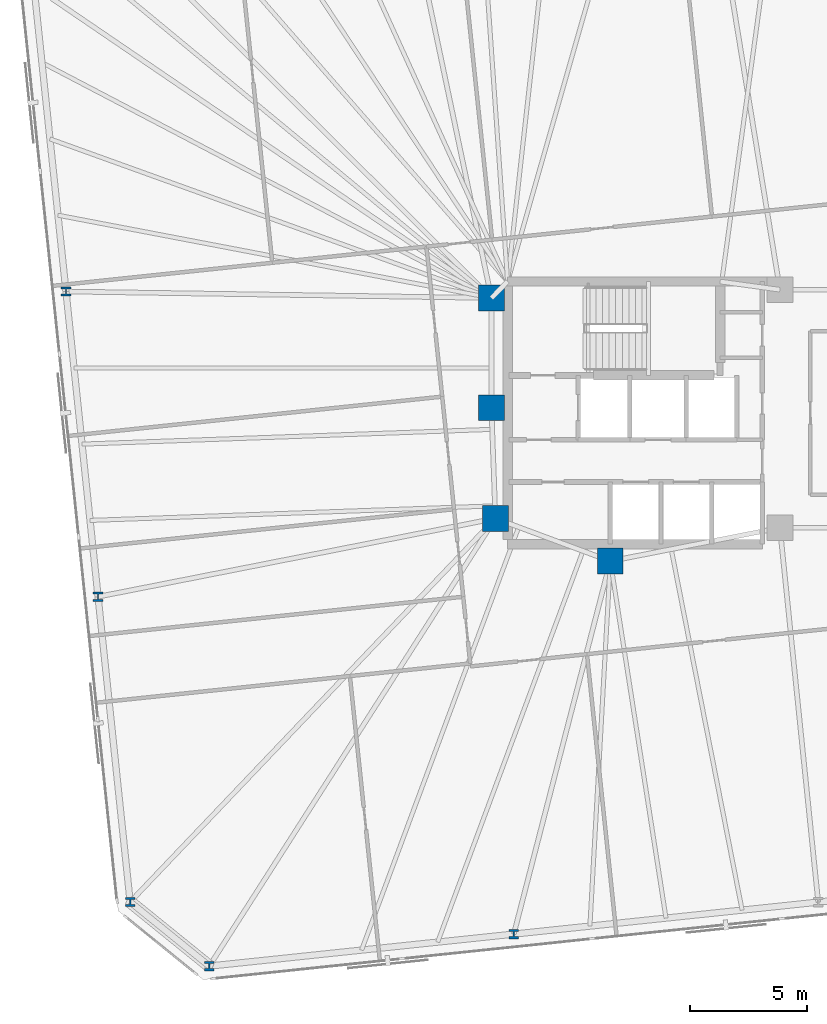
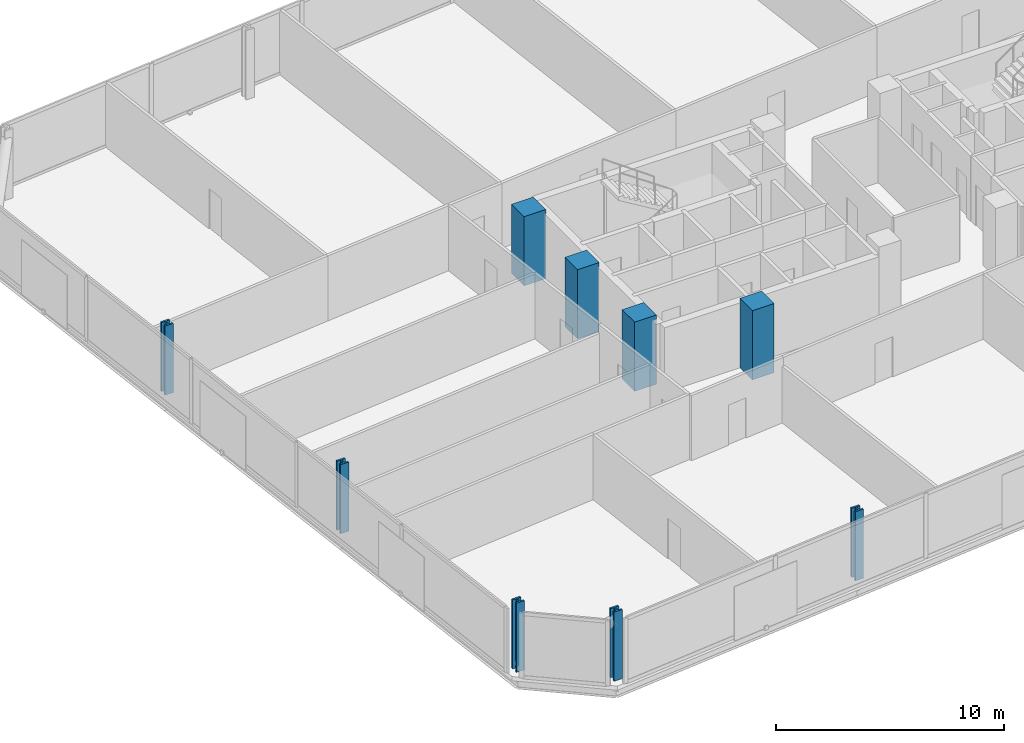
# One storey, part 1 of 18: 9 columns.
"""IFC4 building model written with IfcOpenShell, lengths in metres."""

from ifc_helpers import new_model, si_unit, direction, frame, origin, origin_2d, place, context, subcontext, project, spatial, rectangle, i_section, extrude, material, material_profile, profile_set, type_object, element, save


model = new_model("IFC4")

# Units and contexts
model_context = context("Model", 3, precision=1e-05, world=origin(), true_north=direction((0.0, 1.0)))
body_context = subcontext(model_context, "Body", "Model", "MODEL_VIEW")
ifc_project = project(units=[si_unit("LENGTHUNIT", "METRE"), si_unit("AREAUNIT", "SQUARE_METRE"), si_unit("VOLUMEUNIT", "CUBIC_METRE"), si_unit("PLANEANGLEUNIT", "RADIAN"), si_unit("MASSUNIT", "GRAM", prefix="KILO")], contexts=[model_context])

# Site, building, storey
site_placement = place(None, origin())
site = spatial("IfcSite", under=ifc_project, at=site_placement, CompositionType="ELEMENT")
building_placement = place(site_placement, origin())
building = spatial("IfcBuilding", under=site, at=building_placement, Name="Menara Jurai Vektor", CompositionType="ELEMENT")
storey_placement = place(building_placement, frame((0.0, 0.0, 98.5)))
storey = spatial("IfcBuildingStorey", under=building, at=storey_placement, Name="L24", CompositionType="ELEMENT", Elevation=98.5)

# Columns
ifc_material_1 = material(Name="Concrete C50/60", Category="concrete")
ifc_material_profile_1 = material_profile(ifc_material_1, rectangle(XDim=1.10009765625, YDim=1.10009765625, at=origin_2d()), Name="RC 1100x1100")
ifc_profile_set_1 = profile_set([ifc_material_profile_1], Name="Concrete C50/60")
column_type_1 = type_object("IfcColumnType", Name="STR-COL-RC1100", PredefinedType="COLUMN", material=ifc_profile_set_1)
for number, where, z_axis, x_axis, name in (
    (1, (-15.25, 4.89990234375, 0.0), (0.0, 0.0, 1.0), (1.0, 0.0, 0.0), "Core Spine Column CW-NW L24"),
    (2, (-15.25, 0.219970703125, 0.0), (0.0, 0.0, 1.0), (1.0, 0.0, 0.0), "Core Spine Column CW-WM L24"),
    (3, (-15.080078125, -4.5, 0.0), (0.0, 0.0, 1.0), (1.0, 0.0, 0.0), "Core Spine Column CW-SW L24"),
    (4, (-10.179931640625, -6.320068359375, 0.0), (0.0, 0.0, 1.0), (1.0, 0.0, 0.0), "Core Spine Column CW-SM L24"),
):
    element("IfcColumn", number, at=place(storey_placement, frame(where, z_axis=z_axis, x_axis=x_axis)), inside=storey, type_object=column_type_1, Name=name, PredefinedType="COLUMN", context=body_context, shape_type="SweptSolid", body=[
        extrude(rectangle(XDim=1.10009765625, YDim=1.10009765625, at=origin_2d()), origin(), (0.0, 0.0, 1.0), 3.699951171875),
    ])
ifc_material_2 = material(Name="Steel S460", Category="steel")
ifc_material_profile_2 = material_profile(ifc_material_2, i_section(OverallWidth=0.4130859375, OverallDepth=0.39794921875, WebThickness=0.055908203125, FlangeThickness=0.089111328125, FilletRadius=0.014892578125, at=origin_2d()), Name="HD 400x744")
ifc_profile_set_2 = profile_set([ifc_material_profile_2], Name="Steel S460")
column_type_2 = type_object("IfcColumnType", Name="STR-EXO-BLK2", PredefinedType="COLUMN", material=ifc_profile_set_2)
for number, where, z_axis, x_axis, name in (
    (5, (-27.2763671875, -23.586181640625, 0.0), (0.0, 0.0, 1.0), (1.0, 0.0, 0.0), "Exoskeleton Column BLK2-S1 L24"),
    (6, (-14.296630859375, -22.221923828125, 0.0), (0.0, 0.0, 1.0), (1.0, 0.0, 0.0), "Exoskeleton Column BLK2-S2 L24"),
    (7, (-33.388427734375, 5.175048828125, 0.0), (0.0, 0.0, 1.0), (1.0, 0.0, 0.0), "Exoskeleton Column BLK2-W2 L24"),
    (8, (-32.0205078125, -7.83837890625, 0.0), (0.0, 0.0, 1.0), (1.0, 0.0, 0.0), "Exoskeleton Column BLK2-W3 L24"),
    (9, (-30.65283203125, -20.85205078125, 0.0), (0.0, 0.0, 1.0), (1.0, 0.0, 0.0), "Exoskeleton Column BLK2-W4 L24"),
):
    element("IfcColumn", number, at=place(storey_placement, frame(where, z_axis=z_axis, x_axis=x_axis)), inside=storey, type_object=column_type_2, Name=name, PredefinedType="COLUMN", context=body_context, shape_type="SweptSolid", body=[
        extrude(i_section(OverallWidth=0.4130859375, OverallDepth=0.39794921875, WebThickness=0.055908203125, FlangeThickness=0.089111328125, FilletRadius=0.014892578125, at=origin_2d()), origin(), (0.0, 0.0, 1.0), 3.699951171875),
    ])

save(model, "model.ifc")
